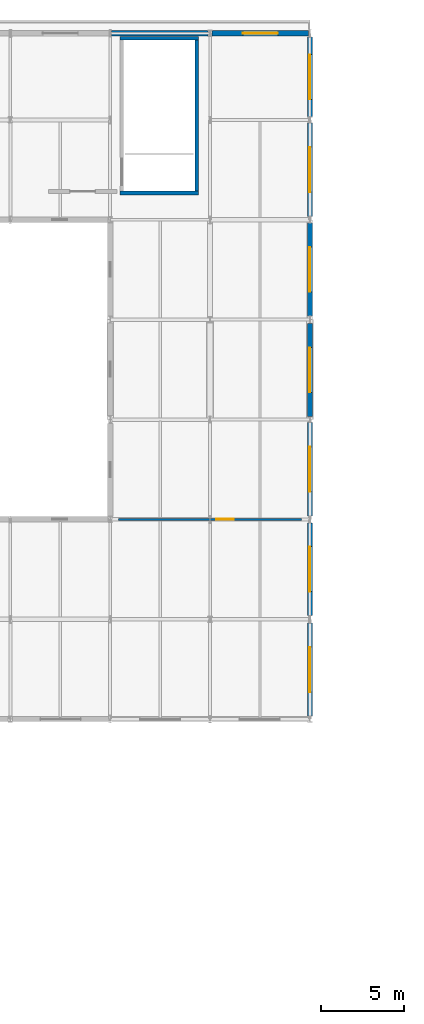
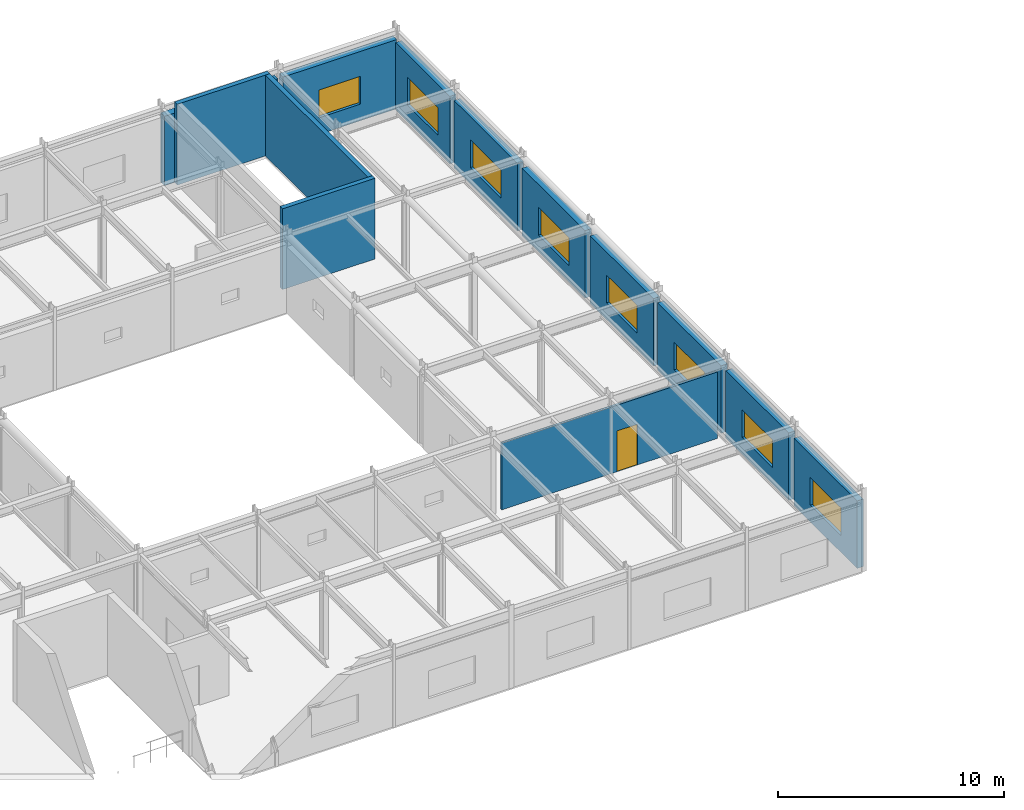
# One storey, part 64 of 84: 13 walls, 8 windows, 1 door, 9 openings.
"""IFC4 building model written with IfcOpenShell, lengths in metres."""

from ifc_helpers import new_model, si_unit, direction, frame, frame_2d, origin, place, context, subcontext, project, spatial, rectangle, extrude, material, layer, layer_set, type_object, element, fill, save


model = new_model("IFC4")

# Units and contexts
model_context = context("Model", 3, precision=1e-05, world=origin(), true_north=direction((0.0, 1.0)))
body_context = subcontext(model_context, "Body", "Model", "MODEL_VIEW")
ifc_project = project(units=[si_unit("LENGTHUNIT", "METRE"), si_unit("AREAUNIT", "SQUARE_METRE"), si_unit("VOLUMEUNIT", "CUBIC_METRE"), si_unit("PLANEANGLEUNIT", "RADIAN"), si_unit("MASSUNIT", "GRAM", prefix="KILO")], contexts=[model_context])

# Site, building, storey
site_placement = place(None, origin())
site = spatial("IfcSite", under=ifc_project, at=site_placement, CompositionType="ELEMENT")
building_placement = place(site_placement, origin())
building = spatial("IfcBuilding", under=site, at=building_placement, Name="Varnakota Square Police Headquarters", CompositionType="ELEMENT")
storey_placement = place(building_placement, frame((0.0, 0.0, 13.5)))
storey = spatial("IfcBuildingStorey", under=building, at=storey_placement, Name="L03", CompositionType="ELEMENT", Elevation=13.5)

# Walls
ifc_material_1 = material(Name="Concrete M40", Category="concrete")
ifc_layer_1 = layer(ifc_material_1, 0.22998046875, Name="Concrete M40")
ifc_layer_set_1 = layer_set([ifc_layer_1], Name="Concrete M40")
wall_type_1 = type_object("IfcWallType", Name="WL-CORE-230", PredefinedType="SHEAR", material=ifc_layer_set_1)
wall_1_placement = place(storey_placement, frame((132.5849609375, 100.60009765625, 0.0), z_axis=(0.0, 0.0, 1.0), x_axis=(1.0, 0.0, 0.0)))
element("IfcWall", 1, at=wall_1_placement, inside=storey, type_object=wall_type_1, Name="Core C8 shear wall L03 S", PredefinedType="SHEAR", context=body_context, shape_type="SweptSolid", body=[
    extrude(rectangle(XDim=4.72998046875, YDim=0.22998046875, at=frame_2d((2.364990234375, 0.0))), origin(), (0.0, 0.0, 1.0), 4.360107421875),
])
wall_2_placement = place(storey_placement, frame((137.199951171875, 100.485107421875, 0.0), z_axis=(0.0, 0.0, 1.0), x_axis=(0.0, 1.0, 0.0)))
element("IfcWall", 2, at=wall_2_placement, inside=storey, type_object=wall_type_1, Name="Core C8 shear wall L03 E", PredefinedType="SHEAR", context=body_context, shape_type="SweptSolid", body=[
    extrude(rectangle(XDim=9.52978515625, YDim=0.22998046875, at=frame_2d((4.764892578125, 0.0))), origin(), (0.0, 0.0, 1.0), 4.360107421875),
])
wall_3_placement = place(storey_placement, frame((137.31494140625, 109.89990234375, 0.0), z_axis=(0.0, 0.0, 1.0), x_axis=(-1.0, 0.0, 0.0)))
element("IfcWall", 3, at=wall_3_placement, inside=storey, type_object=wall_type_1, Name="Core C8 shear wall L03 N", PredefinedType="SHEAR", context=body_context, shape_type="SweptSolid", body=[
    extrude(rectangle(XDim=4.72998046875, YDim=0.22998046875, at=frame_2d((2.364990234375, 0.0))), origin(), (0.0, 0.0, 1.0), 4.360107421875),
])

# Wall, opening, window
ifc_material_2 = material(Name="Precast concrete M40", Category="concrete")
ifc_layer_2 = layer(ifc_material_2, 0.320068359375, Name="Precast concrete M40")
ifc_layer_set_2 = layer_set([ifc_layer_2], Name="Precast concrete M40")
wall_type_2 = type_object("IfcWallType", Name="WL-EXT-320", PredefinedType="SOLIDWALL", material=ifc_layer_set_2)
wall_4_placement = place(storey_placement, frame((144.0, 69.178955078125, 0.0), z_axis=(0.0, 0.0, 1.0), x_axis=(0.0, 1.0, 0.0)))
wall_4 = element("IfcWall", 4, at=wall_4_placement, inside=storey, type_object=wall_type_2, Name="Exterior wall EW-L03-0776", PredefinedType="SOLIDWALL", context=body_context, shape_type="SweptSolid", body=[
    extrude(rectangle(XDim=5.592041015625, YDim=0.320068359375, at=frame_2d((2.7958984375, 0.0))), origin(), (0.0, 0.0, 1.0), 3.639892578125),
])
opening_1_placement = place(wall_4_placement, frame((1.446044921875, 0.0, 0.89990234375)))
opening_1 = element("IfcOpeningElement", 5, at=opening_1_placement, cuts=wall_4, Name="Opening W10", PredefinedType="OPENING", context=body_context, shape_type="SweptSolid", body=[
    extrude(rectangle(XDim=2.699951171875, YDim=1.5, at=frame_2d((1.35009765625, 0.75))), frame((0.0, 0.169921875, 0.0), z_axis=(0.0, -1.0, 0.0), x_axis=(1.0, 0.0, 0.0)), (0.0, 0.0, 1.0), 0.340087890625),
])
ifc_material_3 = material(Name="Thermally Broken Aluminium Double-Glazed Window", Category="aluminium")
window_type_1 = type_object("IfcWindowType", Name="WIN-10", PartitioningType="SINGLE_PANEL", PredefinedType="WINDOW", material=ifc_material_3)
window_1_placement = place(opening_1_placement, origin())
window_1 = element("IfcWindow", 6, at=window_1_placement, inside=storey, type_object=window_type_1, Name="Window WN-L03-0273", OverallHeight=1.5, OverallWidth=2.699951171875, PartitioningType="SINGLE_PANEL", PredefinedType="WINDOW", context=body_context, shape_type="SweptSolid", body=[
    extrude(rectangle(XDim=2.699951171875, YDim=1.5, at=frame_2d((1.35009765625, 0.75))), frame((0.0, 0.030029296875, 0.0), z_axis=(0.0, -1.0, 0.0), x_axis=(1.0, 0.0, 0.0)), (0.0, 0.0, 1.0), 0.06005859375),
])
fill(opening_1, window_1)

wall_5_placement = place(storey_placement, frame((144.0, 75.22900390625, 0.0), z_axis=(0.0, 0.0, 1.0), x_axis=(0.0, 1.0, 0.0)))
wall_5 = element("IfcWall", 7, at=wall_5_placement, inside=storey, type_object=wall_type_2, Name="Exterior wall EW-L03-0777", PredefinedType="SOLIDWALL", context=body_context, shape_type="SweptSolid", body=[
    extrude(rectangle(XDim=5.56689453125, YDim=0.320068359375, at=frame_2d((2.783447265625, 0.0))), origin(), (0.0, 0.0, 1.0), 3.639892578125),
])
opening_2_placement = place(wall_5_placement, frame((1.43359375, 0.0, 0.89990234375)))
opening_2 = element("IfcOpeningElement", 8, at=opening_2_placement, cuts=wall_5, Name="Opening W10", PredefinedType="OPENING", context=body_context, shape_type="SweptSolid", body=[
    extrude(rectangle(XDim=2.699951171875, YDim=1.5, at=frame_2d((1.35009765625, 0.75))), frame((0.0, 0.169921875, 0.0), z_axis=(0.0, -1.0, 0.0), x_axis=(1.0, 0.0, 0.0)), (0.0, 0.0, 1.0), 0.340087890625),
])
window_2_placement = place(opening_2_placement, origin())
window_2 = element("IfcWindow", 9, at=window_2_placement, inside=storey, type_object=window_type_1, Name="Window WN-L03-0274", OverallHeight=1.5, OverallWidth=2.699951171875, PartitioningType="SINGLE_PANEL", PredefinedType="WINDOW", context=body_context, shape_type="SweptSolid", body=[
    extrude(rectangle(XDim=2.699951171875, YDim=1.5, at=frame_2d((1.35009765625, 0.75))), frame((0.0, 0.030029296875, 0.0), z_axis=(0.0, -1.0, 0.0), x_axis=(1.0, 0.0, 0.0)), (0.0, 0.0, 1.0), 0.06005859375),
])
fill(opening_2, window_2)

wall_6_placement = place(storey_placement, frame((144.0, 81.2041015625, 0.0), z_axis=(0.0, 0.0, 1.0), x_axis=(0.0, 1.0, 0.0)))
wall_6 = element("IfcWall", 10, at=wall_6_placement, inside=storey, type_object=wall_type_2, Name="Exterior wall EW-L03-0778", PredefinedType="SOLIDWALL", context=body_context, shape_type="SweptSolid", body=[
    extrude(rectangle(XDim=5.616943359375, YDim=0.320068359375, at=frame_2d((2.80859375, 0.0))), origin(), (0.0, 0.0, 1.0), 3.639892578125),
])
opening_3_placement = place(wall_6_placement, frame((1.45849609375, 0.0, 0.89990234375)))
opening_3 = element("IfcOpeningElement", 11, at=opening_3_placement, cuts=wall_6, Name="Opening W10", PredefinedType="OPENING", context=body_context, shape_type="SweptSolid", body=[
    extrude(rectangle(XDim=2.699951171875, YDim=1.5, at=frame_2d((1.35009765625, 0.75))), frame((0.0, 0.169921875, 0.0), z_axis=(0.0, -1.0, 0.0), x_axis=(1.0, 0.0, 0.0)), (0.0, 0.0, 1.0), 0.340087890625),
])
window_3_placement = place(opening_3_placement, origin())
window_3 = element("IfcWindow", 12, at=window_3_placement, inside=storey, type_object=window_type_1, Name="Window WN-L03-0275", OverallHeight=1.5, OverallWidth=2.699951171875, PartitioningType="SINGLE_PANEL", PredefinedType="WINDOW", context=body_context, shape_type="SweptSolid", body=[
    extrude(rectangle(XDim=2.699951171875, YDim=1.5, at=frame_2d((1.35009765625, 0.75))), frame((0.0, 0.030029296875, 0.0), z_axis=(0.0, -1.0, 0.0), x_axis=(1.0, 0.0, 0.0)), (0.0, 0.0, 1.0), 0.06005859375),
])
fill(opening_3, window_3)

wall_7_placement = place(storey_placement, frame((144.0, 87.178955078125, 0.0), z_axis=(0.0, 0.0, 1.0), x_axis=(0.0, 1.0, 0.0)))
wall_7 = element("IfcWall", 13, at=wall_7_placement, inside=storey, type_object=wall_type_2, Name="Exterior wall EW-L03-0779", PredefinedType="SOLIDWALL", context=body_context, shape_type="SweptSolid", body=[
    extrude(rectangle(XDim=5.592041015625, YDim=0.320068359375, at=frame_2d((2.7958984375, 0.0))), origin(), (0.0, 0.0, 1.0), 3.639892578125),
])
opening_4_placement = place(wall_7_placement, frame((1.446044921875, 0.0, 0.89990234375)))
opening_4 = element("IfcOpeningElement", 14, at=opening_4_placement, cuts=wall_7, Name="Opening W10", PredefinedType="OPENING", context=body_context, shape_type="SweptSolid", body=[
    extrude(rectangle(XDim=2.699951171875, YDim=1.5, at=frame_2d((1.35009765625, 0.75))), frame((0.0, 0.169921875, 0.0), z_axis=(0.0, -1.0, 0.0), x_axis=(1.0, 0.0, 0.0)), (0.0, 0.0, 1.0), 0.340087890625),
])
window_4_placement = place(opening_4_placement, origin())
window_4 = element("IfcWindow", 15, at=window_4_placement, inside=storey, type_object=window_type_1, Name="Window WN-L03-0276", OverallHeight=1.5, OverallWidth=2.699951171875, PartitioningType="SINGLE_PANEL", PredefinedType="WINDOW", context=body_context, shape_type="SweptSolid", body=[
    extrude(rectangle(XDim=2.699951171875, YDim=1.5, at=frame_2d((1.35009765625, 0.75))), frame((0.0, 0.030029296875, 0.0), z_axis=(0.0, -1.0, 0.0), x_axis=(1.0, 0.0, 0.0)), (0.0, 0.0, 1.0), 0.06005859375),
])
fill(opening_4, window_4)

wall_8_placement = place(storey_placement, frame((144.0, 93.22900390625, 0.0), z_axis=(0.0, 0.0, 1.0), x_axis=(0.0, 1.0, 0.0)))
wall_8 = element("IfcWall", 16, at=wall_8_placement, inside=storey, type_object=wall_type_2, Name="Exterior wall EW-L03-0780", PredefinedType="SOLIDWALL", context=body_context, shape_type="SweptSolid", body=[
    extrude(rectangle(XDim=5.56689453125, YDim=0.320068359375, at=frame_2d((2.783447265625, 0.0))), origin(), (0.0, 0.0, 1.0), 3.639892578125),
])
opening_5_placement = place(wall_8_placement, frame((1.43359375, 0.0, 0.89990234375)))
opening_5 = element("IfcOpeningElement", 17, at=opening_5_placement, cuts=wall_8, Name="Opening W10", PredefinedType="OPENING", context=body_context, shape_type="SweptSolid", body=[
    extrude(rectangle(XDim=2.699951171875, YDim=1.5, at=frame_2d((1.35009765625, 0.75))), frame((0.0, 0.169921875, 0.0), z_axis=(0.0, -1.0, 0.0), x_axis=(1.0, 0.0, 0.0)), (0.0, 0.0, 1.0), 0.340087890625),
])
window_5_placement = place(opening_5_placement, origin())
window_5 = element("IfcWindow", 18, at=window_5_placement, inside=storey, type_object=window_type_1, Name="Window WN-L03-0277", OverallHeight=1.5, OverallWidth=2.699951171875, PartitioningType="SINGLE_PANEL", PredefinedType="WINDOW", context=body_context, shape_type="SweptSolid", body=[
    extrude(rectangle(XDim=2.699951171875, YDim=1.5, at=frame_2d((1.35009765625, 0.75))), frame((0.0, 0.030029296875, 0.0), z_axis=(0.0, -1.0, 0.0), x_axis=(1.0, 0.0, 0.0)), (0.0, 0.0, 1.0), 0.06005859375),
])
fill(opening_5, window_5)

wall_9_placement = place(storey_placement, frame((144.0, 99.2041015625, 0.0), z_axis=(0.0, 0.0, 1.0), x_axis=(0.0, 1.0, 0.0)))
wall_9 = element("IfcWall", 19, at=wall_9_placement, inside=storey, type_object=wall_type_2, Name="Exterior wall EW-L03-0781", PredefinedType="SOLIDWALL", context=body_context, shape_type="SweptSolid", body=[
    extrude(rectangle(XDim=5.616943359375, YDim=0.320068359375, at=frame_2d((2.80859375, 0.0))), origin(), (0.0, 0.0, 1.0), 3.639892578125),
])
opening_6_placement = place(wall_9_placement, frame((1.45849609375, 0.0, 0.89990234375)))
opening_6 = element("IfcOpeningElement", 20, at=opening_6_placement, cuts=wall_9, Name="Opening W10", PredefinedType="OPENING", context=body_context, shape_type="SweptSolid", body=[
    extrude(rectangle(XDim=2.699951171875, YDim=1.5, at=frame_2d((1.35009765625, 0.75))), frame((0.0, 0.169921875, 0.0), z_axis=(0.0, -1.0, 0.0), x_axis=(1.0, 0.0, 0.0)), (0.0, 0.0, 1.0), 0.340087890625),
])
window_6_placement = place(opening_6_placement, origin())
window_6 = element("IfcWindow", 21, at=window_6_placement, inside=storey, type_object=window_type_1, Name="Window WN-L03-0278", OverallHeight=1.5, OverallWidth=2.699951171875, PartitioningType="SINGLE_PANEL", PredefinedType="WINDOW", context=body_context, shape_type="SweptSolid", body=[
    extrude(rectangle(XDim=2.699951171875, YDim=1.5, at=frame_2d((1.35009765625, 0.75))), frame((0.0, 0.030029296875, 0.0), z_axis=(0.0, -1.0, 0.0), x_axis=(1.0, 0.0, 0.0)), (0.0, 0.0, 1.0), 0.06005859375),
])
fill(opening_6, window_6)

wall_10_placement = place(storey_placement, frame((144.0, 105.178955078125, 0.0), z_axis=(0.0, 0.0, 1.0), x_axis=(0.0, 1.0, 0.0)))
wall_10 = element("IfcWall", 22, at=wall_10_placement, inside=storey, type_object=wall_type_2, Name="Exterior wall EW-L03-0782", PredefinedType="SOLIDWALL", context=body_context, shape_type="SweptSolid", body=[
    extrude(rectangle(XDim=4.7919921875, YDim=0.320068359375, at=frame_2d((2.39599609375, 0.0))), origin(), (0.0, 0.0, 1.0), 3.639892578125),
])
opening_7_placement = place(wall_10_placement, frame((1.0458984375, 0.0, 0.89990234375)))
opening_7 = element("IfcOpeningElement", 23, at=opening_7_placement, cuts=wall_10, Name="Opening W10", PredefinedType="OPENING", context=body_context, shape_type="SweptSolid", body=[
    extrude(rectangle(XDim=2.699951171875, YDim=1.5, at=frame_2d((1.35009765625, 0.75))), frame((0.0, 0.169921875, 0.0), z_axis=(0.0, -1.0, 0.0), x_axis=(1.0, 0.0, 0.0)), (0.0, 0.0, 1.0), 0.340087890625),
])
window_7_placement = place(opening_7_placement, origin())
window_7 = element("IfcWindow", 24, at=window_7_placement, inside=storey, type_object=window_type_1, Name="Window WN-L03-0279", OverallHeight=1.5, OverallWidth=2.699951171875, PartitioningType="SINGLE_PANEL", PredefinedType="WINDOW", context=body_context, shape_type="SweptSolid", body=[
    extrude(rectangle(XDim=2.699951171875, YDim=1.5, at=frame_2d((1.35009765625, 0.75))), frame((0.0, 0.030029296875, 0.0), z_axis=(0.0, -1.0, 0.0), x_axis=(1.0, 0.0, 0.0)), (0.0, 0.0, 1.0), 0.06005859375),
])
fill(opening_7, window_7)

# Wall
ifc_layer_3 = layer(ifc_material_1, 0.340087890625, Name="Concrete M40")
ifc_layer_set_3 = layer_set([ifc_layer_3], Name="Concrete M40")
wall_type_3 = type_object("IfcWallType", Name="WL-EXT-340", PredefinedType="SOLIDWALL", material=ifc_layer_set_3)
wall_11_placement = place(storey_placement, frame((132.073974609375, 110.199951171875, 0.0), z_axis=(0.0, 0.0, 1.0), x_axis=(1.0, 0.0, 0.0)))
element("IfcWall", 25, at=wall_11_placement, inside=storey, type_object=wall_type_3, Name="Exterior wall EW-L03-0766", PredefinedType="SOLIDWALL", context=body_context, shape_type="SweptSolid", body=[
    extrude(rectangle(XDim=5.797119140625, YDim=0.340087890625, at=frame_2d((2.8984375, 0.0))), origin(), (0.0, 0.0, 1.0), 3.739990234375),
])

# Wall, opening, window
wall_12_placement = place(storey_placement, frame((138.12890625, 110.199951171875, 0.0), z_axis=(0.0, 0.0, 1.0), x_axis=(1.0, 0.0, 0.0)))
wall_12 = element("IfcWall", 26, at=wall_12_placement, inside=storey, type_object=wall_type_3, Name="Exterior wall EW-L03-0767", PredefinedType="SOLIDWALL", context=body_context, shape_type="SweptSolid", body=[
    extrude(rectangle(XDim=5.7919921875, YDim=0.340087890625, at=frame_2d((2.89599609375, 0.0))), origin(), (0.0, 0.0, 1.0), 3.739990234375),
])
opening_8_placement = place(wall_12_placement, frame((1.845947265625, 0.0, 0.89990234375)))
opening_8 = element("IfcOpeningElement", 27, at=opening_8_placement, cuts=wall_12, Name="Opening W08", PredefinedType="OPENING", context=body_context, shape_type="SweptSolid", body=[
    extrude(rectangle(XDim=2.10009765625, YDim=1.5, at=frame_2d((1.050048828125, 0.75))), frame((0.0, 0.179931640625, 0.0), z_axis=(0.0, -1.0, 0.0), x_axis=(1.0, 0.0, 0.0)), (0.0, 0.0, 1.0), 0.360107421875),
])
window_type_2 = type_object("IfcWindowType", Name="WIN-08", PartitioningType="SINGLE_PANEL", PredefinedType="WINDOW", material=ifc_material_3)
window_8_placement = place(opening_8_placement, origin())
window_8 = element("IfcWindow", 28, at=window_8_placement, inside=storey, type_object=window_type_2, Name="Window WN-L03-0266", OverallHeight=1.5, OverallWidth=2.10009765625, PartitioningType="SINGLE_PANEL", PredefinedType="WINDOW", context=body_context, shape_type="SweptSolid", body=[
    extrude(rectangle(XDim=2.10009765625, YDim=1.5, at=frame_2d((1.050048828125, 0.75))), frame((0.0, 0.030029296875, 0.0), z_axis=(0.0, -1.0, 0.0), x_axis=(1.0, 0.0, 0.0)), (0.0, 0.0, 1.0), 0.06005859375),
])
fill(opening_8, window_8)

# Wall, opening, door
ifc_material_4 = material(Name="Moisture-Resistant Tile-Backed Partition", Category="gypsum")
ifc_layer_4 = layer(ifc_material_4, 0.114990234375, Name="Moisture-Resistant Tile-Backed Partition")
ifc_layer_set_4 = layer_set([ifc_layer_4], Name="Moisture-Resistant Tile-Backed Partition")
wall_type_4 = type_object("IfcWallType", Name="WL-PRT-115", PredefinedType="PARTITIONING", material=ifc_layer_set_4)
wall_13_placement = place(storey_placement, frame((143.5, 81.0, 0.0), z_axis=(0.0, 0.0, 1.0), x_axis=(-1.0, 0.0, 0.0)))
wall_13 = element("IfcWall", 29, at=wall_13_placement, inside=storey, type_object=wall_type_4, Name="Interior partition PW-L03-0183 (Training Library and Resource Store)", PredefinedType="PARTITIONING", context=body_context, shape_type="SweptSolid", body=[
    extrude(rectangle(XDim=11.0, YDim=0.114990234375, at=frame_2d((5.5, 0.0))), origin(), (0.0, 0.0, 1.0), 3.590087890625),
])
opening_9_placement = place(wall_13_placement, frame((4.074951171875, 0.0, 0.0)))
opening_9 = element("IfcOpeningElement", 30, at=opening_9_placement, cuts=wall_13, Name="Opening D259", PredefinedType="OPENING", context=body_context, shape_type="SweptSolid", body=[
    extrude(rectangle(XDim=1.050048828125, YDim=2.199951171875, at=frame_2d((0.52490234375, 1.10009765625))), frame((0.0, 0.0673828125, 0.0), z_axis=(0.0, -1.0, 0.0), x_axis=(1.0, 0.0, 0.0)), (0.0, 0.0, 1.0), 0.135009765625),
])
ifc_material_5 = material(Name="Anodised Aluminium and Laminated Acoustic Glass", Category="aluminium")
door_type = type_object("IfcDoorType", Name="DR-OFF-105", OperationType="NOTDEFINED", PredefinedType="DOOR", material=ifc_material_5)
door_placement = place(opening_9_placement, origin())
door = element("IfcDoor", 31, at=door_placement, inside=storey, type_object=door_type, Name="Room door D259 (Training Library and Resource Store)", OperationType="SINGLE_SWING_LEFT", OverallHeight=2.199951171875, OverallWidth=1.050048828125, PredefinedType="DOOR", context=body_context, shape_type="SweptSolid", body=[
    extrude(rectangle(XDim=1.050048828125, YDim=2.199951171875, at=frame_2d((0.52490234375, 1.10009765625))), frame((0.0, 0.02490234375, 0.0), z_axis=(0.0, -1.0, 0.0), x_axis=(1.0, 0.0, 0.0)), (0.0, 0.0, 1.0), 0.050048828125),
])
fill(opening_9, door)

save(model, "model.ifc")
